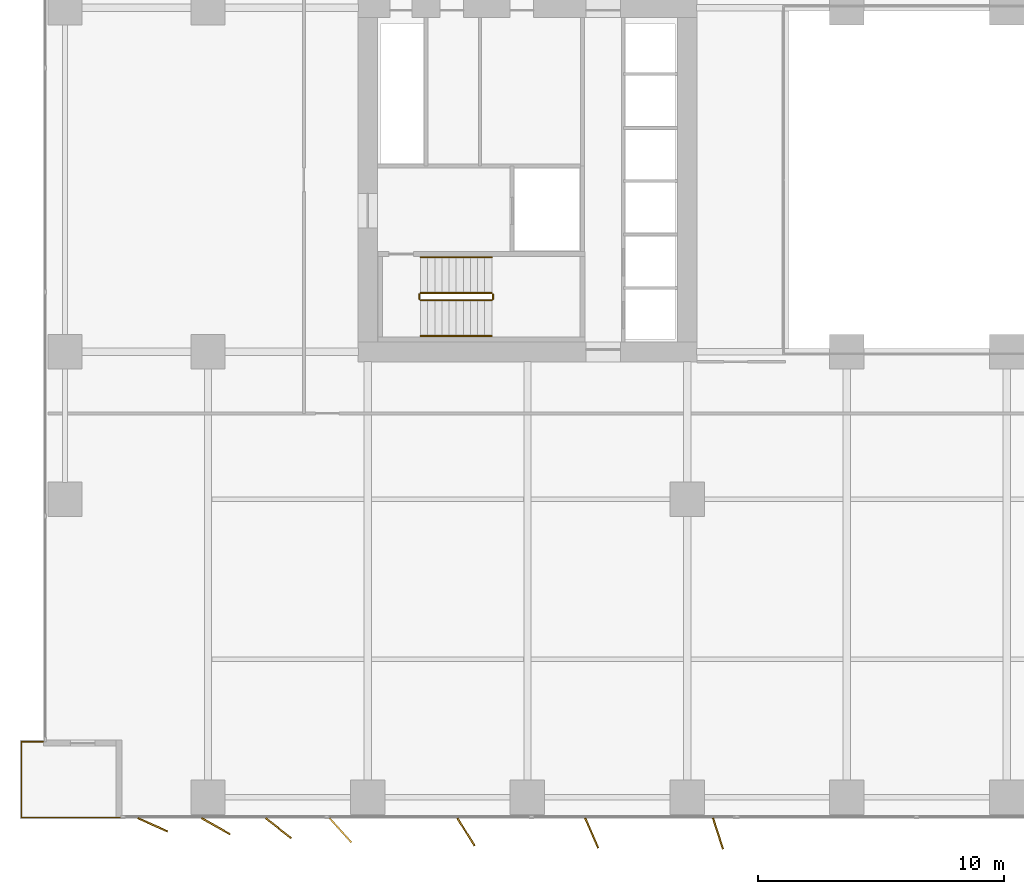
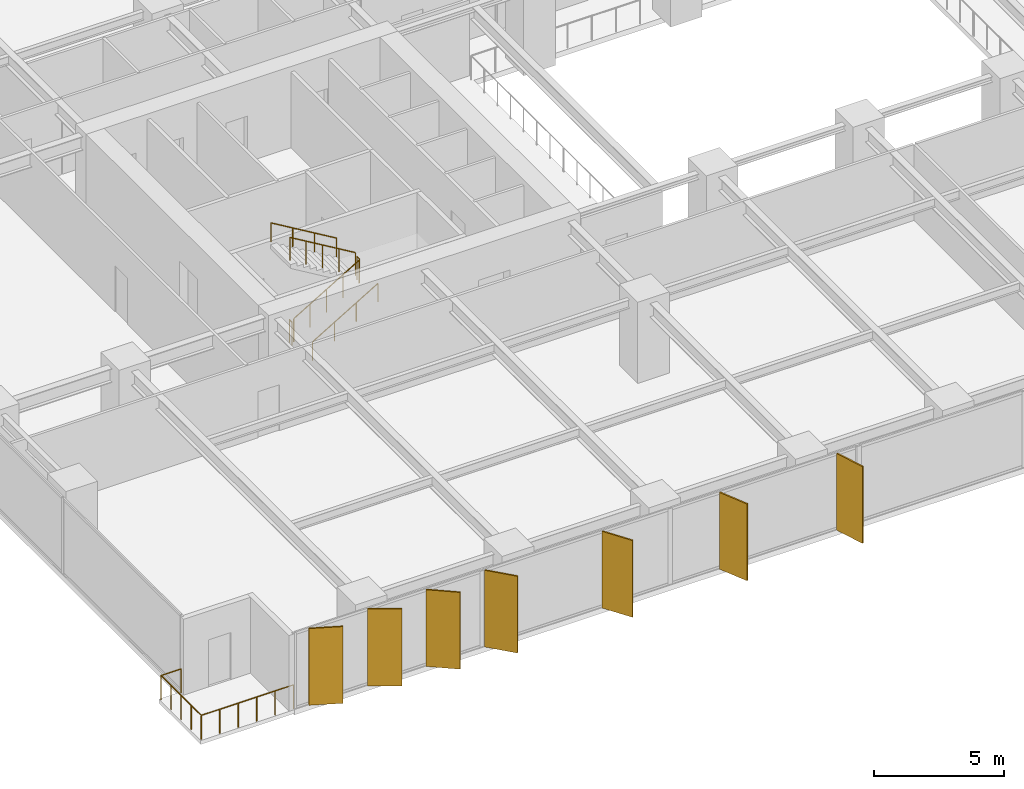
# One storey, part 17 of 20: 7 railings, 7 shading devices.
"""IFC4 building model written with IfcOpenShell, lengths in metres."""

from ifc_helpers import new_model, si_unit, direction, frame, origin, origin_2d, place, context, subcontext, project, spatial, rectangle, circle, extrude, material, layer, layer_set, type_object, element, save


model = new_model("IFC4")

# Units and contexts
model_context = context("Model", 3, precision=1e-05, world=origin(), true_north=direction((0.0, 1.0)))
body_context = subcontext(model_context, "Body", "Model", "MODEL_VIEW")
ifc_project = project(units=[si_unit("LENGTHUNIT", "METRE"), si_unit("AREAUNIT", "SQUARE_METRE"), si_unit("VOLUMEUNIT", "CUBIC_METRE"), si_unit("PLANEANGLEUNIT", "RADIAN"), si_unit("MASSUNIT", "GRAM", prefix="KILO")], contexts=[model_context])

# Site, building, storey
site_placement = place(None, origin())
site = spatial("IfcSite", under=ifc_project, at=site_placement, CompositionType="ELEMENT")
building_placement = place(site_placement, origin())
building = spatial("IfcBuilding", under=site, at=building_placement, Name="Putna Gate Headquarters", CompositionType="ELEMENT")
storey_placement = place(building_placement, frame((0.0, 0.0, 31.60009765625)))
storey = spatial("IfcBuildingStorey", under=building, at=storey_placement, Name="L06", CompositionType="ELEMENT", Elevation=31.60009765625)

# Railings
ifc_material_1 = material(Name="Powder-coated steel stair guardrail", Category="steel")
railing_type_1 = type_object("IfcRailingType", Name="RAIL-STAIR-GUARD-1100", PredefinedType="GUARDRAIL", material=ifc_material_1)
railing_1_placement = place(storey_placement, frame((15.14990234375, 21.10009765625, 0.172607421875)))
element("IfcRailing", 1, at=railing_1_placement, inside=storey, type_object=railing_type_1, Name="L06 ST1 stair guard 1", PredefinedType="GUARDRAIL", context=body_context, shape_type="SweptSolid", body=[
    extrude(circle(Radius=0.02392578125, at=origin_2d()), frame((0.0, 0.0, 1.076171875), z_axis=(0.859160404282, 0.0, 0.51170636083), x_axis=(0.0, 1.0, 0.0)), (0.0, 0.0, 1.0), 3.37548828125),
    extrude(circle(Radius=0.02099609375, at=origin_2d()), origin(), (0.0, 0.0, 1.0), 1.052001953125),
    extrude(circle(Radius=0.02099609375, at=origin_2d()), frame((0.72509765625, 0.0, 0.431884765625)), (0.0, 0.0, 1.0), 1.052001953125),
    extrude(circle(Radius=0.02099609375, at=origin_2d()), frame((1.4501953125, 0.0, 0.86376953125)), (0.0, 0.0, 1.0), 1.052001953125),
    extrude(circle(Radius=0.02099609375, at=origin_2d()), frame((2.175048828125, 0.0, 1.29541015625)), (0.0, 0.0, 1.0), 1.052001953125),
    extrude(circle(Radius=0.02099609375, at=origin_2d()), frame((2.900146484375, 0.0, 1.727294921875)), (0.0, 0.0, 1.0), 1.052001953125),
])
railing_2_placement = place(storey_placement, frame((18.10009765625, 21.14990234375, 1.89990234375)))
element("IfcRailing", 2, at=railing_2_placement, inside=storey, type_object=railing_type_1, Name="L06 ST1 stair guard 2", PredefinedType="GUARDRAIL", context=body_context, shape_type="SweptSolid", body=[
    extrude(circle(Radius=0.02392578125, at=origin_2d()), frame((0.0, 0.0, 1.076171875), z_axis=(0.0, 1.0, 0.0), x_axis=(-1.0, 0.0, 0.0)), (0.0, 0.0, 1.0), 0.2001953125),
    extrude(circle(Radius=0.02099609375, at=origin_2d()), origin(), (0.0, 0.0, 1.0), 1.052001953125),
    extrude(circle(Radius=0.02099609375, at=origin_2d()), frame((0.0, 0.2001953125, 0.0)), (0.0, 0.0, 1.0), 1.052001953125),
])
railing_3_placement = place(storey_placement, frame((18.050048828125, 21.39990234375, 2.072509765625)))
element("IfcRailing", 3, at=railing_3_placement, inside=storey, type_object=railing_type_1, Name="L06 ST1 stair guard 3", PredefinedType="GUARDRAIL", context=body_context, shape_type="SweptSolid", body=[
    extrude(circle(Radius=0.02392578125, at=origin_2d()), frame((0.0, 0.0, 1.076171875), z_axis=(-0.859160404282, 0.0, 0.51170636083), x_axis=(0.0, -1.0, 0.0)), (0.0, 0.0, 1.0), 3.37548828125),
    extrude(circle(Radius=0.02099609375, at=origin_2d()), origin(), (0.0, 0.0, 1.0), 1.052001953125),
    extrude(circle(Radius=0.02099609375, at=origin_2d()), frame((-0.72509765625, 0.0, 0.431884765625)), (0.0, 0.0, 1.0), 1.052001953125),
    extrude(circle(Radius=0.02099609375, at=origin_2d()), frame((-1.4501953125, 0.0, 0.86376953125)), (0.0, 0.0, 1.0), 1.052001953125),
    extrude(circle(Radius=0.02099609375, at=origin_2d()), frame((-2.175048828125, 0.0, 1.29541015625)), (0.0, 0.0, 1.0), 1.052001953125),
    extrude(circle(Radius=0.02099609375, at=origin_2d()), frame((-2.900146484375, 0.0, 1.727294921875)), (0.0, 0.0, 1.0), 1.052001953125),
])
railing_4_placement = place(storey_placement, frame((15.10009765625, 21.14990234375, 0.0)))
element("IfcRailing", 4, at=railing_4_placement, inside=storey, type_object=railing_type_1, Name="L06 ST1 stair guard 4", PredefinedType="GUARDRAIL", context=body_context, shape_type="SweptSolid", body=[
    extrude(circle(Radius=0.02392578125, at=origin_2d()), frame((0.0, 0.0, 1.076171875), z_axis=(0.0, 1.0, 0.0), x_axis=(-1.0, 0.0, 0.0)), (0.0, 0.0, 1.0), 0.2001953125),
    extrude(circle(Radius=0.02099609375, at=origin_2d()), origin(), (0.0, 0.0, 1.0), 1.052001953125),
    extrude(circle(Radius=0.02099609375, at=origin_2d()), frame((0.0, 0.2001953125, 0.0)), (0.0, 0.0, 1.0), 1.052001953125),
])
ifc_material_2 = material(Name="Brushed stainless steel handrail", Category="steel")
railing_type_2 = type_object("IfcRailingType", Name="RAIL-STAIR-HAND-900", PredefinedType="HANDRAIL", material=ifc_material_2)
railing_5_placement = place(storey_placement, frame((15.14990234375, 19.64990234375, 0.172607421875)))
element("IfcRailing", 5, at=railing_5_placement, inside=storey, type_object=railing_type_2, Name="L06 ST1 stair handrail 1", PredefinedType="HANDRAIL", context=body_context, shape_type="SweptSolid", body=[
    extrude(circle(Radius=0.02392578125, at=origin_2d()), frame((0.0, 0.0, 0.8759765625), z_axis=(0.859160404282, 0.0, 0.51170636083), x_axis=(0.0, 1.0, 0.0)), (0.0, 0.0, 1.0), 3.37548828125),
    extrude(circle(Radius=0.02099609375, at=origin_2d()), origin(), (0.0, 0.0, 1.0), 0.851806640625),
    extrude(circle(Radius=0.02099609375, at=origin_2d()), frame((0.966796875, 0.0, 0.57568359375)), (0.0, 0.0, 1.0), 0.851806640625),
    extrude(circle(Radius=0.02099609375, at=origin_2d()), frame((1.933349609375, 0.0, 1.151611328125)), (0.0, 0.0, 1.0), 0.851806640625),
    extrude(circle(Radius=0.02099609375, at=origin_2d()), frame((2.900146484375, 0.0, 1.727294921875)), (0.0, 0.0, 1.0), 0.851806640625),
])
railing_6_placement = place(storey_placement, frame((18.050048828125, 22.85009765625, 2.072509765625)))
element("IfcRailing", 6, at=railing_6_placement, inside=storey, type_object=railing_type_2, Name="L06 ST1 stair handrail 2", PredefinedType="HANDRAIL", context=body_context, shape_type="SweptSolid", body=[
    extrude(circle(Radius=0.02392578125, at=origin_2d()), frame((0.0, 0.0, 0.8759765625), z_axis=(-0.859160404282, 0.0, 0.51170636083), x_axis=(0.0, -1.0, 0.0)), (0.0, 0.0, 1.0), 3.37548828125),
    extrude(circle(Radius=0.02099609375, at=origin_2d()), origin(), (0.0, 0.0, 1.0), 0.851806640625),
    extrude(circle(Radius=0.02099609375, at=origin_2d()), frame((-0.966796875, 0.0, 0.57568359375)), (0.0, 0.0, 1.0), 0.851806640625),
    extrude(circle(Radius=0.02099609375, at=origin_2d()), frame((-1.933349609375, 0.0, 1.151611328125)), (0.0, 0.0, 1.0), 0.851806640625),
    extrude(circle(Radius=0.02099609375, at=origin_2d()), frame((-2.900146484375, 0.0, 1.727294921875)), (0.0, 0.0, 1.0), 0.851806640625),
])
ifc_material_3 = material(Name="Anodised bronze steel and laminated glass guardrail", Category="steel")
railing_type_3 = type_object("IfcRailingType", Name="RAIL-TERR-GUARD-1150", PredefinedType="GUARDRAIL", material=ifc_material_3)
railing_7_placement = place(storey_placement, frame((3.0, 0.06005859375, 0.0)))
element("IfcRailing", 7, at=railing_7_placement, inside=storey, type_object=railing_type_3, Name="L06 Spiral Sky Terrace Guardrail SW", PredefinedType="GUARDRAIL", context=body_context, shape_type="SweptSolid", body=[
    extrude(circle(Radius=0.02392578125, at=origin_2d()), frame((0.0, 0.0, 1.1259765625), z_axis=(-1.0, 0.0, 0.0), x_axis=(0.0, -1.0, 0.0)), (0.0, 0.0, 1.0), 4.090087890625),
    extrude(circle(Radius=0.02392578125, at=origin_2d()), frame((-4.090087890625, 0.0, 1.1259765625), z_axis=(0.0, 1.0, 0.0), x_axis=(-1.0, 0.0, 0.0)), (0.0, 0.0, 1.0), 3.079833984375),
    extrude(circle(Radius=0.02392578125, at=origin_2d()), frame((-4.090087890625, 3.079833984375, 1.1259765625), z_axis=(1.0, 0.0, 0.0), x_axis=(0.0, 1.0, 0.0)), (0.0, 0.0, 1.0), 0.89013671875),
    extrude(circle(Radius=0.02099609375, at=origin_2d()), origin(), (0.0, 0.0, 1.0), 1.101806640625),
    extrude(circle(Radius=0.02099609375, at=origin_2d()), frame((-0.818115234375, 0.0, 0.0)), (0.0, 0.0, 1.0), 1.101806640625),
    extrude(circle(Radius=0.02099609375, at=origin_2d()), frame((-1.635986328125, 0.0, 0.0)), (0.0, 0.0, 1.0), 1.101806640625),
    extrude(circle(Radius=0.02099609375, at=origin_2d()), frame((-2.4541015625, 0.0, 0.0)), (0.0, 0.0, 1.0), 1.101806640625),
    extrude(circle(Radius=0.02099609375, at=origin_2d()), frame((-3.27197265625, 0.0, 0.0)), (0.0, 0.0, 1.0), 1.101806640625),
    extrude(circle(Radius=0.02099609375, at=origin_2d()), frame((-4.090087890625, 0.0, 0.0)), (0.0, 0.0, 1.0), 1.101806640625),
    extrude(circle(Radius=0.02099609375, at=origin_2d()), frame((-4.090087890625, 0.77001953125, 0.0)), (0.0, 0.0, 1.0), 1.101806640625),
    extrude(circle(Radius=0.02099609375, at=origin_2d()), frame((-4.090087890625, 1.5400390625, 0.0)), (0.0, 0.0, 1.0), 1.101806640625),
    extrude(circle(Radius=0.02099609375, at=origin_2d()), frame((-4.090087890625, 2.309814453125, 0.0)), (0.0, 0.0, 1.0), 1.101806640625),
    extrude(circle(Radius=0.02099609375, at=origin_2d()), frame((-4.090087890625, 3.079833984375, 0.0)), (0.0, 0.0, 1.0), 1.101806640625),
    extrude(circle(Radius=0.02099609375, at=origin_2d()), frame((-3.199951171875, 3.079833984375, 0.0)), (0.0, 0.0, 1.0), 1.101806640625),
])

# Shading devices
ifc_material_4 = material(Name="Anodised architectural bronze aluminium fin", Category="aluminium")
ifc_layer = layer(ifc_material_4, 0.06494140625)
ifc_layer_set = layer_set([ifc_layer], Name="Anodised architectural bronze aluminium fin")
shading_device_type = type_object("IfcShadingDeviceType", Name="SHADE-BRONZE-FIN-1320", PredefinedType="USERDEFINED", material=ifc_layer_set)
for number, where, z_axis, x_axis, name in (
    (8, (4.2529296875, -0.2431640625, -0.02001953125), (0.0, 0.0, 1.0), (0.913687379856, -0.40641773078, 0.0), "L06 Bronze Vertical Shading Fin S1"),
    (9, (6.82373046875, -0.30126953125, -0.02001953125), (0.0, 0.0, 1.0), (0.869322458298, -0.494245347472, 0.0), "L06 Bronze Vertical Shading Fin S2"),
    (10, (9.36962890625, -0.3818359375, -0.02001953125), (0.0, 0.0, 1.0), (0.787473187632, -0.616348909921, 0.0), "L06 Bronze Vertical Shading Fin S3"),
    (11, (11.8916015625, -0.465576171875, -0.02001953125), (0.0, 0.0, 1.0), (0.669130606359, -0.743144825477, 0.0), "L06 Bronze Vertical Shading Fin S4"),
    (12, (17.000244140625, -0.534423828125, -0.02001953125), (0.0, 0.0, 1.0), (0.530659123936, -0.847585331506, 0.0), "L06 Bronze Vertical Shading Fin S5"),
    (13, (22.114501953125, -0.57958984375, -0.02001953125), (0.0, 0.0, 1.0), (0.400668879095, -0.916222925562, 0.0), "L06 Bronze Vertical Shading Fin S6"),
    (14, (27.253662109375, -0.602783203125, -0.02001953125), (0.0, 0.0, 1.0), (0.308684994204, -0.951164325631, 0.0), "L06 Bronze Vertical Shading Fin S7"),
):
    element("IfcShadingDevice", number, at=place(storey_placement, frame(where, z_axis=z_axis, x_axis=x_axis)), inside=storey, type_object=shading_device_type, Name=name, ObjectType="FIN", PredefinedType="USERDEFINED", context=body_context, shape_type="SweptSolid", body=[
        extrude(rectangle(XDim=1.320068359375, YDim=0.06494140625, at=origin_2d()), origin(), (0.0, 0.0, 1.0), 3.590087890625),
    ])

save(model, "model.ifc")
